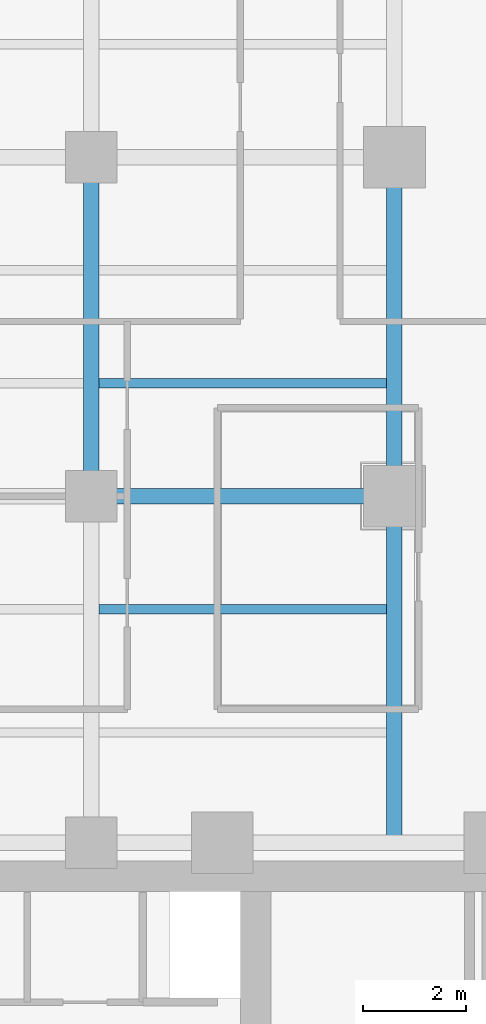
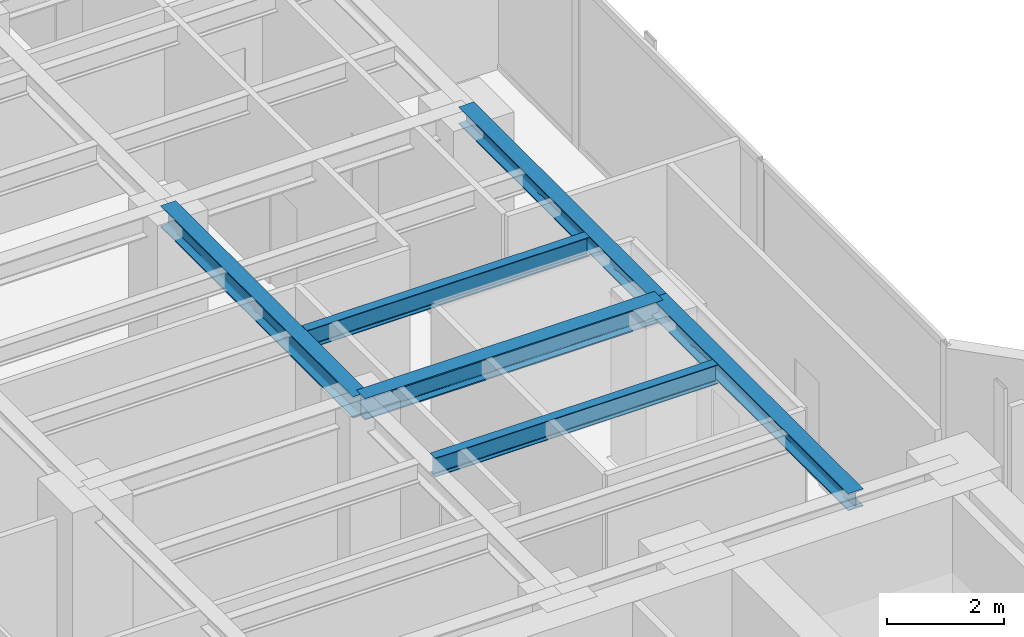
# One storey, part 9 of 27: 6 beams.
"""IFC4 building model written with IfcOpenShell, lengths in metres."""

from ifc_helpers import new_model, si_unit, direction, frame, origin, origin_2d, place, context, subcontext, project, spatial, i_section, extrude, material, material_profile, profile_set, type_object, element, save


model = new_model("IFC4")

# Units and contexts
model_context = context("Model", 3, precision=1e-05, world=origin(), true_north=direction((0.0, 1.0)))
body_context = subcontext(model_context, "Body", "Model", "MODEL_VIEW")
ifc_project = project(units=[si_unit("LENGTHUNIT", "METRE"), si_unit("AREAUNIT", "SQUARE_METRE"), si_unit("VOLUMEUNIT", "CUBIC_METRE"), si_unit("PLANEANGLEUNIT", "RADIAN"), si_unit("MASSUNIT", "GRAM", prefix="KILO")], contexts=[model_context])

# Site, building, storey
site_placement = place(None, origin())
site = spatial("IfcSite", under=ifc_project, at=site_placement, CompositionType="ELEMENT")
building_placement = place(site_placement, origin())
building = spatial("IfcBuilding", under=site, at=building_placement, Name="Kolvaren Waterfront Exchange", CompositionType="ELEMENT")
storey_placement = place(building_placement, frame((0.0, 0.0, 161.39990234375)))
storey = spatial("IfcBuildingStorey", under=building, at=storey_placement, Name="L41", CompositionType="ELEMENT", Elevation=161.39990234375)

# Beams
ifc_material = material(Name="Steel S355", Category="steel")
ifc_material_profile_1 = material_profile(ifc_material, i_section(OverallWidth=0.300048828125, OverallDepth=0.360107421875, WebThickness=0.012451171875, FlangeThickness=0.0224609375, FilletRadius=0.027099609375, at=origin_2d()), Name="HEB360")
ifc_profile_set_1 = profile_set([ifc_material_profile_1], Name="Steel S355")
beam_type_1 = type_object("IfcBeamType", Name="STR-BM-HEB360", PredefinedType="SPANDREL", material=ifc_profile_set_1)
beam_1_placement = place(storey_placement, frame((18.800048828125, 24.449951171875, 3.380126953125), z_axis=(0.0, 1.0, 0.0), x_axis=(-1.0, 0.0, 0.0)))
element("IfcBeam", 1, at=beam_1_placement, inside=storey, type_object=beam_type_1, Name="L41 north-arm edge beam 1", PredefinedType="SPANDREL", context=body_context, shape_type="SweptSolid", body=[
    extrude(i_section(OverallWidth=0.300048828125, OverallDepth=0.360107421875, WebThickness=0.012451171875, FlangeThickness=0.0224609375, FilletRadius=0.027099609375, at=origin_2d()), origin(), (0.0, 0.0, 1.0), 6.75),
])
beam_2_placement = place(storey_placement, frame((18.800048828125, 31.199951171875, 3.380126953125), z_axis=(0.0, 1.0, 0.0), x_axis=(-1.0, 0.0, 0.0)))
element("IfcBeam", 2, at=beam_2_placement, inside=storey, type_object=beam_type_1, Name="L41 north-arm edge beam 2", PredefinedType="SPANDREL", context=body_context, shape_type="SweptSolid", body=[
    extrude(i_section(OverallWidth=0.300048828125, OverallDepth=0.360107421875, WebThickness=0.012451171875, FlangeThickness=0.0224609375, FilletRadius=0.027099609375, at=origin_2d()), origin(), (0.0, 0.0, 1.0), 6.60009765625),
])
ifc_material_profile_2 = material_profile(ifc_material, i_section(OverallWidth=0.300048828125, OverallDepth=0.449951171875, WebThickness=0.013916015625, FlangeThickness=0.02587890625, FilletRadius=0.027099609375, at=origin_2d()), Name="HEB450")
ifc_profile_set_2 = profile_set([ifc_material_profile_2], Name="Steel S355")
beam_type_2 = type_object("IfcBeamType", Name="STR-BM-HEB450", PredefinedType="BEAM", material=ifc_profile_set_2)
beam_3_placement = place(storey_placement, frame((12.89990234375, 31.199951171875, 3.335205078125), z_axis=(1.0, 0.0, 0.0), x_axis=(0.0, 1.0, 0.0)))
element("IfcBeam", 3, at=beam_3_placement, inside=storey, type_object=beam_type_2, Name="L41 north-arm girder 2B", PredefinedType="BEAM", context=body_context, shape_type="SweptSolid", body=[
    extrude(i_section(OverallWidth=0.300048828125, OverallDepth=0.449951171875, WebThickness=0.013916015625, FlangeThickness=0.02587890625, FilletRadius=0.027099609375, at=origin_2d()), origin(), (0.0, 0.0, 1.0), 5.900146484375),
])
beam_4_placement = place(storey_placement, frame((12.89990234375, 31.199951171875, 3.335205078125), z_axis=(0.0, 1.0, 0.0), x_axis=(-1.0, 0.0, 0.0)))
element("IfcBeam", 4, at=beam_4_placement, inside=storey, type_object=beam_type_2, Name="L41 north-arm edge beam 2", PredefinedType="BEAM", context=body_context, shape_type="SweptSolid", body=[
    extrude(i_section(OverallWidth=0.300048828125, OverallDepth=0.449951171875, WebThickness=0.013916015625, FlangeThickness=0.02587890625, FilletRadius=0.027099609375, at=origin_2d()), origin(), (0.0, 0.0, 1.0), 6.60009765625),
])
ifc_material_profile_3 = material_profile(ifc_material, i_section(OverallWidth=0.179931640625, OverallDepth=0.39990234375, WebThickness=0.008544921875, FlangeThickness=0.013427734375, FilletRadius=0.02099609375, at=origin_2d()), Name="IPE400")
ifc_profile_set_3 = profile_set([ifc_material_profile_3], Name="Steel S355")
beam_type_3 = type_object("IfcBeamType", Name="STR-BM-IPE400", PredefinedType="JOIST", material=ifc_profile_set_3)
for number, where, z_axis, x_axis, name in (
    (5, (13.052001953125, 29.0, 3.360107421875), (1.0, 0.0, 0.0), (0.0, 1.0, 0.0), "L41 north-arm composite joist 2B"),
    (6, (13.052001953125, 33.39990234375, 3.360107421875), (1.0, 0.0, 0.0), (0.0, 1.0, 0.0), "L41 north-arm composite joist 3B"),
):
    element("IfcBeam", number, at=place(storey_placement, frame(where, z_axis=z_axis, x_axis=x_axis)), inside=storey, type_object=beam_type_3, Name=name, PredefinedType="JOIST", context=body_context, shape_type="SweptSolid", body=[
        extrude(i_section(OverallWidth=0.179931640625, OverallDepth=0.39990234375, WebThickness=0.008544921875, FlangeThickness=0.013427734375, FilletRadius=0.02099609375, at=origin_2d()), origin(), (0.0, 0.0, 1.0), 5.595947265625),
    ])

save(model, "model.ifc")
